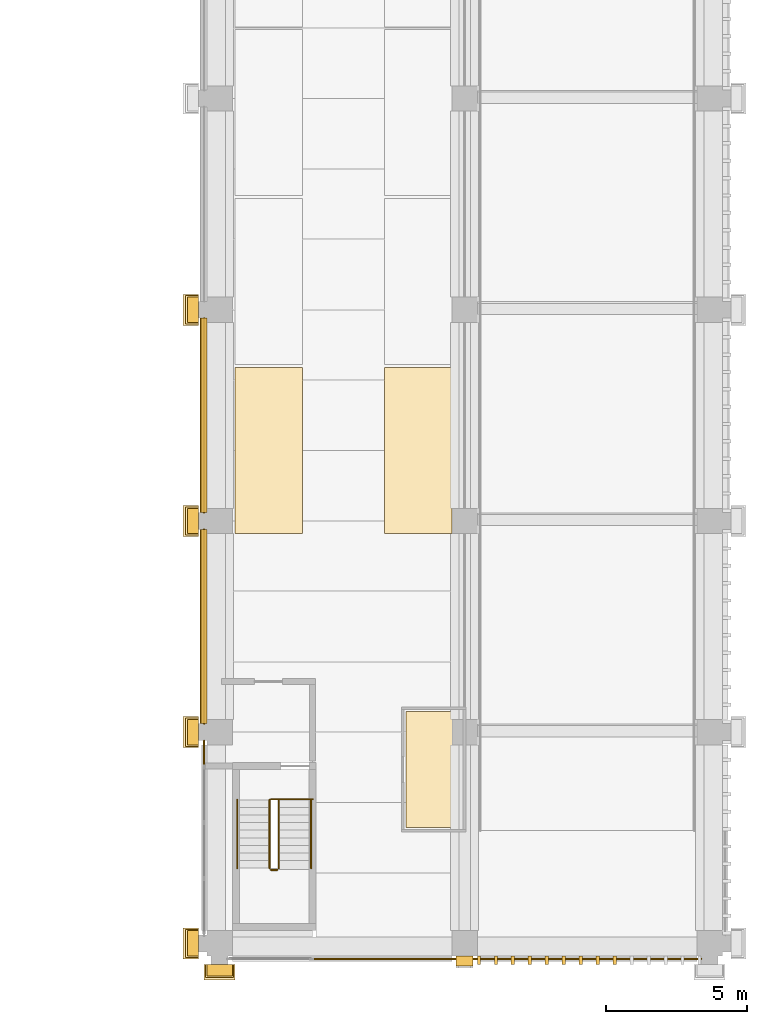
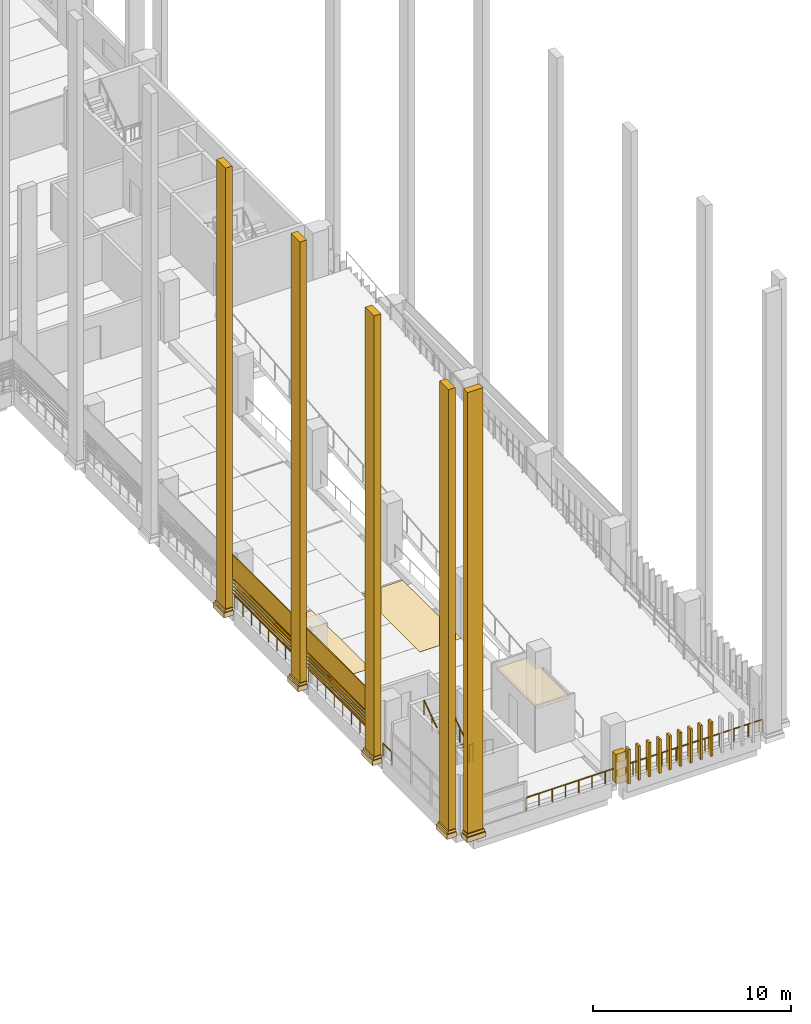
# One storey, part 56 of 67: 30 coverings, 11 railings, 10 shading devices.
"""IFC4 building model written with IfcOpenShell, lengths in metres."""

from ifc_helpers import new_model, si_unit, direction, frame, origin, origin_2d, place, context, subcontext, project, spatial, polyline, circle, outline, extrude, material, layer, layer_set, type_object, element, save


model = new_model("IFC4")

# Units and contexts
model_context = context("Model", 3, precision=1e-05, world=origin(), true_north=direction((0.0, 1.0)))
body_context = subcontext(model_context, "Body", "Model", "MODEL_VIEW")
ifc_project = project(units=[si_unit("LENGTHUNIT", "METRE"), si_unit("AREAUNIT", "SQUARE_METRE"), si_unit("VOLUMEUNIT", "CUBIC_METRE"), si_unit("PLANEANGLEUNIT", "RADIAN"), si_unit("MASSUNIT", "GRAM", prefix="KILO")], contexts=[model_context])

# Site, building, storey
site_placement = place(None, origin())
site = spatial("IfcSite", under=ifc_project, at=site_placement, CompositionType="ELEMENT")
building_placement = place(site_placement, origin())
building = spatial("IfcBuilding", under=site, at=building_placement, Name="Cour d'Honneur Mobility Palace", CompositionType="ELEMENT")
storey_placement = place(building_placement, frame((0.0, 0.0, 4.5)))
storey = spatial("IfcBuildingStorey", under=building, at=storey_placement, Name="L01", CompositionType="ELEMENT", Elevation=4.5)

# Railings
ifc_material_1 = material(Name="Painted steel", Category="steel")
railing_type_1 = type_object("IfcRailingType", Name="Balustrade", PredefinedType="BALUSTRADE", material=ifc_material_1)
for number, where, name in (
    (1, (144.35009765625, 22.199951171875, 0.300048828125), "Balustrade BAL-26"),
    (2, (144.35009765625, 14.699951171875, 0.300048828125), "Balustrade BAL-27"),
):
    element("IfcRailing", number, at=place(storey_placement, frame(where)), inside=storey, type_object=railing_type_1, Name=name, PredefinedType="BALUSTRADE", context=body_context, shape_type="SweptSolid", body=[
        extrude(circle(Radius=0.02392578125, at=origin_2d()), frame((0.0, 0.0, 0.77587890625), z_axis=(0.0, -1.0, 0.0), x_axis=(1.0, 0.0, 0.0)), (0.0, 0.0, 1.0), 6.89990234375),
        extrude(circle(Radius=0.02099609375, at=origin_2d()), origin(), (0.0, 0.0, 1.0), 0.751953125),
        extrude(circle(Radius=0.02099609375, at=origin_2d()), frame((0.0, -0.862548828125, 0.0)), (0.0, 0.0, 1.0), 0.751953125),
        extrude(circle(Radius=0.02099609375, at=origin_2d()), frame((0.0, -1.72509765625, 0.0)), (0.0, 0.0, 1.0), 0.751953125),
        extrude(circle(Radius=0.02099609375, at=origin_2d()), frame((0.0, -2.58740234375, 0.0)), (0.0, 0.0, 1.0), 0.751953125),
        extrude(circle(Radius=0.02099609375, at=origin_2d()), frame((0.0, -3.449951171875, 0.0)), (0.0, 0.0, 1.0), 0.751953125),
        extrude(circle(Radius=0.02099609375, at=origin_2d()), frame((0.0, -4.3125, 0.0)), (0.0, 0.0, 1.0), 0.751953125),
        extrude(circle(Radius=0.02099609375, at=origin_2d()), frame((0.0, -5.1748046875, 0.0)), (0.0, 0.0, 1.0), 0.751953125),
        extrude(circle(Radius=0.02099609375, at=origin_2d()), frame((0.0, -6.037353515625, 0.0)), (0.0, 0.0, 1.0), 0.751953125),
        extrude(circle(Radius=0.02099609375, at=origin_2d()), frame((0.0, -6.89990234375, 0.0)), (0.0, 0.0, 1.0), 0.751953125),
    ])
railing_1_placement = place(storey_placement, frame((144.35009765625, 7.199951171875, 0.300048828125)))
element("IfcRailing", 3, at=railing_1_placement, inside=storey, type_object=railing_type_1, Name="Balustrade BAL-28", PredefinedType="BALUSTRADE", context=body_context, shape_type="SweptSolid", body=[
    extrude(circle(Radius=0.02392578125, at=origin_2d()), frame((0.0, 0.0, 0.77587890625), z_axis=(0.0, -1.0, 0.0), x_axis=(1.0, 0.0, 0.0)), (0.0, 0.0, 1.0), 0.89990234375),
    extrude(circle(Radius=0.02099609375, at=origin_2d()), origin(), (0.0, 0.0, 1.0), 0.751953125),
    extrude(circle(Radius=0.02099609375, at=origin_2d()), frame((0.0, -0.89990234375, 0.0)), (0.0, 0.0, 1.0), 0.751953125),
])
railing_2_placement = place(storey_placement, frame((148.199951171875, -0.550048828125, 0.300048828125)))
element("IfcRailing", 4, at=railing_2_placement, inside=storey, type_object=railing_type_1, Name="Balustrade BAL-29", PredefinedType="BALUSTRADE", context=body_context, shape_type="SweptSolid", body=[
    extrude(circle(Radius=0.02392578125, at=origin_2d()), frame((0.0, 0.0, 0.77587890625), z_axis=(1.0, 0.0, 0.0), x_axis=(0.0, 1.0, 0.0)), (0.0, 0.0, 1.0), 5.400146484375),
    extrude(circle(Radius=0.02099609375, at=origin_2d()), origin(), (0.0, 0.0, 1.0), 0.751953125),
    extrude(circle(Radius=0.02099609375, at=origin_2d()), frame((0.771484375, 0.0, 0.0)), (0.0, 0.0, 1.0), 0.751953125),
    extrude(circle(Radius=0.02099609375, at=origin_2d()), frame((1.54296875, 0.0, 0.0)), (0.0, 0.0, 1.0), 0.751953125),
    extrude(circle(Radius=0.02099609375, at=origin_2d()), frame((2.314453125, 0.0, 0.0)), (0.0, 0.0, 1.0), 0.751953125),
    extrude(circle(Radius=0.02099609375, at=origin_2d()), frame((3.085693359375, 0.0, 0.0)), (0.0, 0.0, 1.0), 0.751953125),
    extrude(circle(Radius=0.02099609375, at=origin_2d()), frame((3.857177734375, 0.0, 0.0)), (0.0, 0.0, 1.0), 0.751953125),
    extrude(circle(Radius=0.02099609375, at=origin_2d()), frame((4.628662109375, 0.0, 0.0)), (0.0, 0.0, 1.0), 0.751953125),
    extrude(circle(Radius=0.02099609375, at=origin_2d()), frame((5.400146484375, 0.0, 0.0)), (0.0, 0.0, 1.0), 0.751953125),
])
railing_3_placement = place(storey_placement, frame((153.60009765625, -0.550048828125, 0.300048828125)))
element("IfcRailing", 5, at=railing_3_placement, inside=storey, type_object=railing_type_1, Name="Balustrade BAL-30", PredefinedType="BALUSTRADE", context=body_context, shape_type="SweptSolid", body=[
    extrude(circle(Radius=0.02392578125, at=origin_2d()), frame((0.0, 0.0, 0.77587890625), z_axis=(1.0, 0.0, 0.0), x_axis=(0.0, 1.0, 0.0)), (0.0, 0.0, 1.0), 8.39990234375),
    extrude(circle(Radius=0.02099609375, at=origin_2d()), origin(), (0.0, 0.0, 1.0), 0.751953125),
    extrude(circle(Radius=0.02099609375, at=origin_2d()), frame((0.840087890625, 0.0, 0.0)), (0.0, 0.0, 1.0), 0.751953125),
    extrude(circle(Radius=0.02099609375, at=origin_2d()), frame((1.679931640625, 0.0, 0.0)), (0.0, 0.0, 1.0), 0.751953125),
    extrude(circle(Radius=0.02099609375, at=origin_2d()), frame((2.52001953125, 0.0, 0.0)), (0.0, 0.0, 1.0), 0.751953125),
    extrude(circle(Radius=0.02099609375, at=origin_2d()), frame((3.35986328125, 0.0, 0.0)), (0.0, 0.0, 1.0), 0.751953125),
    extrude(circle(Radius=0.02099609375, at=origin_2d()), frame((4.199951171875, 0.0, 0.0)), (0.0, 0.0, 1.0), 0.751953125),
    extrude(circle(Radius=0.02099609375, at=origin_2d()), frame((5.0400390625, 0.0, 0.0)), (0.0, 0.0, 1.0), 0.751953125),
    extrude(circle(Radius=0.02099609375, at=origin_2d()), frame((5.8798828125, 0.0, 0.0)), (0.0, 0.0, 1.0), 0.751953125),
    extrude(circle(Radius=0.02099609375, at=origin_2d()), frame((6.719970703125, 0.0, 0.0)), (0.0, 0.0, 1.0), 0.751953125),
    extrude(circle(Radius=0.02099609375, at=origin_2d()), frame((7.559814453125, 0.0, 0.0)), (0.0, 0.0, 1.0), 0.751953125),
    extrude(circle(Radius=0.02099609375, at=origin_2d()), frame((8.39990234375, 0.0, 0.0)), (0.0, 0.0, 1.0), 0.751953125),
])
ifc_material_2 = material(Name="Painted steel", Category="steel")
railing_type_2 = type_object("IfcRailingType", Name="Guardrail 1100", PredefinedType="GUARDRAIL", material=ifc_material_2)
railing_4_placement = place(storey_placement, frame((146.72509765625, 5.1201171875, 0.0)))
element("IfcRailing", 6, at=railing_4_placement, inside=storey, type_object=railing_type_2, Name="Guard ST-RE1", PredefinedType="GUARDRAIL", context=body_context, shape_type="SweptSolid", body=[
    extrude(circle(Radius=0.02490234375, at=origin_2d()), frame((0.0, 0.0, 1.0751953125), z_axis=(1.0, 0.0, 0.0), x_axis=(0.0, 1.0, 0.0)), (0.0, 0.0, 1.0), 1.474853515625),
    extrude(circle(Radius=0.02099609375, at=origin_2d()), origin(), (0.0, 0.0, 1.0), 1.050048828125),
    extrude(circle(Radius=0.02099609375, at=origin_2d()), frame((0.7373046875, 0.0, 0.0)), (0.0, 0.0, 1.0), 1.050048828125),
    extrude(circle(Radius=0.02099609375, at=origin_2d()), frame((1.474853515625, 0.0, 0.0)), (0.0, 0.0, 1.0), 1.050048828125),
])
railing_5_placement = place(storey_placement, frame((146.72509765625, 2.610107421875, 1.85009765625)))
element("IfcRailing", 7, at=railing_5_placement, inside=storey, type_object=railing_type_2, Name="Landing guard ST-RE1", PredefinedType="GUARDRAIL", context=body_context, shape_type="SweptSolid", body=[
    extrude(circle(Radius=0.02490234375, at=origin_2d()), frame((0.0, 0.0, 1.0751953125), z_axis=(1.0, 0.0, 0.0), x_axis=(0.0, 1.0, 0.0)), (0.0, 0.0, 1.0), 0.224853515625),
    extrude(circle(Radius=0.02099609375, at=origin_2d()), origin(), (0.0, 0.0, 1.0), 1.050048828125),
    extrude(circle(Radius=0.02099609375, at=origin_2d()), frame((0.224853515625, 0.0, 0.0)), (0.0, 0.0, 1.0), 1.050048828125),
])
ifc_material_3 = material(Name="Stainless steel", Category="steel")
railing_type_3 = type_object("IfcRailingType", Name="Handrail round 50", PredefinedType="HANDRAIL", material=ifc_material_3)
for number, where, name in (
    (8, (148.14990234375, 5.10009765625, 0.18505859375), "Handrail ST-RE1"),
    (9, (147.0, 5.10009765625, 0.18505859375), "Handrail ST-RE1"),
):
    element("IfcRailing", number, at=place(storey_placement, frame(where)), inside=storey, type_object=railing_type_3, Name=name, PredefinedType="HANDRAIL", context=body_context, shape_type="SweptSolid", body=[
        extrude(circle(Radius=0.02490234375, at=origin_2d()), frame((0.0, 0.0, 0.89501953125), z_axis=(0.0, -0.824945253146, 0.565212640793), x_axis=(1.0, 0.0, 0.0)), (0.0, 0.0, 1.0), 2.94580078125),
        extrude(circle(Radius=0.02099609375, at=origin_2d()), origin(), (0.0, 0.0, 1.0), 0.869873046875),
        extrude(circle(Radius=0.02099609375, at=origin_2d()), frame((0.0, -0.81005859375, 0.554931640625)), (0.0, 0.0, 1.0), 0.869873046875),
        extrude(circle(Radius=0.02099609375, at=origin_2d()), frame((0.0, -1.6201171875, 1.110107421875)), (0.0, 0.0, 1.0), 0.869873046875),
        extrude(circle(Radius=0.02099609375, at=origin_2d()), frame((0.0, -2.43017578125, 1.6650390625)), (0.0, 0.0, 1.0), 0.869873046875),
    ])
for number, where, name in (
    (10, (146.675048828125, 2.669921875, 2.034912109375), "Handrail ST-RE1"),
    (11, (145.52490234375, 2.669921875, 2.034912109375), "Handrail ST-RE1"),
):
    element("IfcRailing", number, at=place(storey_placement, frame(where)), inside=storey, type_object=railing_type_3, Name=name, PredefinedType="HANDRAIL", context=body_context, shape_type="SweptSolid", body=[
        extrude(circle(Radius=0.02490234375, at=origin_2d()), frame((0.0, 0.0, 0.89501953125), z_axis=(0.0, 0.824945253146, 0.565212640793), x_axis=(-1.0, 0.0, 0.0)), (0.0, 0.0, 1.0), 2.94580078125),
        extrude(circle(Radius=0.02099609375, at=origin_2d()), origin(), (0.0, 0.0, 1.0), 0.869873046875),
        extrude(circle(Radius=0.02099609375, at=origin_2d()), frame((0.0, 0.81005859375, 0.554931640625)), (0.0, 0.0, 1.0), 0.869873046875),
        extrude(circle(Radius=0.02099609375, at=origin_2d()), frame((0.0, 1.6201171875, 1.110107421875)), (0.0, 0.0, 1.0), 0.869873046875),
        extrude(circle(Radius=0.02099609375, at=origin_2d()), frame((0.0, 2.43017578125, 1.6650390625)), (0.0, 0.0, 1.0), 0.869873046875),
    ])

# Coverings
ifc_material_4 = material(Name="Parking marking paint")
ifc_layer_1 = layer(ifc_material_4, 0.0048828125)
ifc_layer_set_1 = layer_set([ifc_layer_1], Name="Parking marking paint")
covering_type_1 = type_object("IfcCoveringType", Name="Parking bay marking", PredefinedType="FLOORING", material=ifc_layer_set_1)
covering_1_placement = place(storey_placement, origin())
element("IfcCovering", 12, at=covering_1_placement, inside=storey, type_object=covering_type_1, Name="Parking bay marking L01 75", PredefinedType="FLOORING", context=body_context, shape_type="SweptSolid", body=[
    extrude(outline(polyline([(153.14990234375, 14.550048828125), (150.75, 14.550048828125), (150.75, 20.449951171875), (153.14990234375, 20.449951171875), (153.14990234375, 14.550048828125)])), origin(), (0.0, 0.0, 1.0), 0.0048828125),
])
covering_2_placement = place(storey_placement, origin())
element("IfcCovering", 13, at=covering_2_placement, inside=storey, type_object=covering_type_1, Name="Parking bay marking L01 79", PredefinedType="FLOORING", context=body_context, shape_type="SweptSolid", body=[
    extrude(outline(polyline([(147.85009765625, 14.550048828125), (145.449951171875, 14.550048828125), (145.449951171875, 20.449951171875), (147.85009765625, 20.449951171875), (147.85009765625, 14.550048828125)])), origin(), (0.0, 0.0, 1.0), 0.0048828125),
])
ifc_material_5 = material(Name="Cast limestone", Category="masonry")
ifc_layer_2 = layer(ifc_material_5, 0.35009765625)
ifc_layer_set_2 = layer_set([ifc_layer_2], Name="Cast limestone")
covering_type_2 = type_object("IfcCoveringType", Name="Pier pilaster", PredefinedType="CLADDING", material=ifc_layer_set_2)
covering_3_placement = place(storey_placement, frame((0.0, 0.0, 0.300048828125)))
element("IfcCovering", 14, at=covering_3_placement, inside=storey, type_object=covering_type_2, Name="Pier pilaster PN-2", PredefinedType="CLADDING", context=body_context, shape_type="SweptSolid", body=[
    extrude(outline(polyline([(153.300048828125, -0.449951171875), (153.89990234375, -0.449951171875), (153.89990234375, -0.800048828125), (153.300048828125, -0.800048828125), (153.300048828125, -0.449951171875)])), origin(), (0.0, 0.0, 1.0), 1.800048828125),
])
ifc_material_6 = material(Name="Cast limestone", Category="masonry")
ifc_layer_3 = layer(ifc_material_6, 0.14990234375)
ifc_layer_set_3 = layer_set([ifc_layer_3], Name="Cast limestone")
covering_type_3 = type_object("IfcCoveringType", Name="Pilaster base", PredefinedType="CLADDING", material=ifc_layer_set_3)
covering_4_placement = place(storey_placement, frame((0.0, 0.0, 0.10009765625)))
element("IfcCovering", 15, at=covering_4_placement, inside=storey, type_object=covering_type_3, Name="Pilaster base PB-61", PredefinedType="CLADDING", context=body_context, shape_type="SweptSolid", body=[
    extrude(outline(polyline([(144.14990234375, 23.050048828125), (144.14990234375, 21.949951171875), (143.60009765625, 21.949951171875), (143.60009765625, 23.050048828125), (144.14990234375, 23.050048828125)])), origin(), (0.0, 0.0, 1.0), 0.2998046875),
])
covering_5_placement = place(storey_placement, frame((0.0, 0.0, 0.39990234375)))
element("IfcCovering", 16, at=covering_5_placement, inside=storey, type_object=covering_type_3, Name="Pilaster base PB-62", PredefinedType="CLADDING", context=body_context, shape_type="SweptSolid", body=[
    extrude(outline(polyline([(144.14990234375, 23.0), (144.14990234375, 22.0), (143.679931640625, 22.0), (143.679931640625, 23.0), (144.14990234375, 23.0)])), origin(), (0.0, 0.0, 1.0), 0.150146484375),
])
covering_6_placement = place(storey_placement, frame((0.0, 0.0, 0.10009765625)))
element("IfcCovering", 17, at=covering_6_placement, inside=storey, type_object=covering_type_3, Name="Pilaster base PB-63", PredefinedType="CLADDING", context=body_context, shape_type="SweptSolid", body=[
    extrude(outline(polyline([(144.14990234375, 15.550048828125), (144.14990234375, 14.449951171875), (143.60009765625, 14.449951171875), (143.60009765625, 15.550048828125), (144.14990234375, 15.550048828125)])), origin(), (0.0, 0.0, 1.0), 0.2998046875),
])
covering_7_placement = place(storey_placement, frame((0.0, 0.0, 0.39990234375)))
element("IfcCovering", 18, at=covering_7_placement, inside=storey, type_object=covering_type_3, Name="Pilaster base PB-64", PredefinedType="CLADDING", context=body_context, shape_type="SweptSolid", body=[
    extrude(outline(polyline([(144.14990234375, 15.5), (144.14990234375, 14.5), (143.679931640625, 14.5), (143.679931640625, 15.5), (144.14990234375, 15.5)])), origin(), (0.0, 0.0, 1.0), 0.150146484375),
])
covering_8_placement = place(storey_placement, frame((0.0, 0.0, 0.10009765625)))
element("IfcCovering", 19, at=covering_8_placement, inside=storey, type_object=covering_type_3, Name="Pilaster base PB-65", PredefinedType="CLADDING", context=body_context, shape_type="SweptSolid", body=[
    extrude(outline(polyline([(144.14990234375, 8.050048828125), (144.14990234375, 6.949951171875), (143.60009765625, 6.949951171875), (143.60009765625, 8.050048828125), (144.14990234375, 8.050048828125)])), origin(), (0.0, 0.0, 1.0), 0.2998046875),
])
covering_9_placement = place(storey_placement, frame((0.0, 0.0, 0.39990234375)))
element("IfcCovering", 20, at=covering_9_placement, inside=storey, type_object=covering_type_3, Name="Pilaster base PB-66", PredefinedType="CLADDING", context=body_context, shape_type="SweptSolid", body=[
    extrude(outline(polyline([(144.14990234375, 8.0), (144.14990234375, 7.0), (143.679931640625, 7.0), (143.679931640625, 8.0), (144.14990234375, 8.0)])), origin(), (0.0, 0.0, 1.0), 0.150146484375),
])
covering_10_placement = place(storey_placement, frame((0.0, 0.0, 0.10009765625)))
element("IfcCovering", 21, at=covering_10_placement, inside=storey, type_object=covering_type_3, Name="Pilaster base PB-67", PredefinedType="CLADDING", context=body_context, shape_type="SweptSolid", body=[
    extrude(outline(polyline([(144.14990234375, 0.550048828125), (144.14990234375, -0.550048828125), (143.60009765625, -0.550048828125), (143.60009765625, 0.550048828125), (144.14990234375, 0.550048828125)])), origin(), (0.0, 0.0, 1.0), 0.2998046875),
])
covering_11_placement = place(storey_placement, frame((0.0, 0.0, 0.39990234375)))
element("IfcCovering", 22, at=covering_11_placement, inside=storey, type_object=covering_type_3, Name="Pilaster base PB-68", PredefinedType="CLADDING", context=body_context, shape_type="SweptSolid", body=[
    extrude(outline(polyline([(144.14990234375, 0.5), (144.14990234375, -0.5), (143.679931640625, -0.5), (143.679931640625, 0.5), (144.14990234375, 0.5)])), origin(), (0.0, 0.0, 1.0), 0.150146484375),
])
covering_12_placement = place(storey_placement, frame((0.0, 0.0, 0.10009765625)))
element("IfcCovering", 23, at=covering_12_placement, inside=storey, type_object=covering_type_3, Name="Pilaster base PB-69", PredefinedType="CLADDING", context=body_context, shape_type="SweptSolid", body=[
    extrude(outline(polyline([(144.35009765625, -0.75), (145.449951171875, -0.75), (145.449951171875, -1.300048828125), (144.35009765625, -1.300048828125), (144.35009765625, -0.75)])), origin(), (0.0, 0.0, 1.0), 0.2998046875),
])
covering_13_placement = place(storey_placement, frame((0.0, 0.0, 0.39990234375)))
element("IfcCovering", 24, at=covering_13_placement, inside=storey, type_object=covering_type_3, Name="Pilaster base PB-70", PredefinedType="CLADDING", context=body_context, shape_type="SweptSolid", body=[
    extrude(outline(polyline([(144.39990234375, -0.75), (145.39990234375, -0.75), (145.39990234375, -1.219970703125), (144.39990234375, -1.219970703125), (144.39990234375, -0.75)])), origin(), (0.0, 0.0, 1.0), 0.150146484375),
])
ifc_material_7 = material(Name="Cast limestone", Category="masonry")
ifc_layer_4 = layer(ifc_material_7, 0.39990234375)
ifc_layer_set_4 = layer_set([ifc_layer_4], Name="Cast limestone")
covering_type_4 = type_object("IfcCoveringType", Name="Pilaster shaft", PredefinedType="CLADDING", material=ifc_layer_set_4)
covering_14_placement = place(storey_placement, frame((0.0, 0.0, 0.550048828125)))
element("IfcCovering", 25, at=covering_14_placement, inside=storey, type_object=covering_type_4, Name="Pilaster shaft PS-31", PredefinedType="CLADDING", context=body_context, shape_type="SweptSolid", body=[
    extrude(outline(polyline([(144.14990234375, 22.949951171875), (144.14990234375, 22.050048828125), (143.75, 22.050048828125), (143.75, 22.949951171875), (144.14990234375, 22.949951171875)])), origin(), (0.0, 0.0, 1.0), 27.14990234375),
])
covering_15_placement = place(storey_placement, frame((0.0, 0.0, 0.550048828125)))
element("IfcCovering", 26, at=covering_15_placement, inside=storey, type_object=covering_type_4, Name="Pilaster shaft PS-32", PredefinedType="CLADDING", context=body_context, shape_type="SweptSolid", body=[
    extrude(outline(polyline([(144.14990234375, 15.449951171875), (144.14990234375, 14.550048828125), (143.75, 14.550048828125), (143.75, 15.449951171875), (144.14990234375, 15.449951171875)])), origin(), (0.0, 0.0, 1.0), 27.14990234375),
])
covering_16_placement = place(storey_placement, frame((0.0, 0.0, 0.550048828125)))
element("IfcCovering", 27, at=covering_16_placement, inside=storey, type_object=covering_type_4, Name="Pilaster shaft PS-33", PredefinedType="CLADDING", context=body_context, shape_type="SweptSolid", body=[
    extrude(outline(polyline([(144.14990234375, 7.949951171875), (144.14990234375, 7.050048828125), (143.75, 7.050048828125), (143.75, 7.949951171875), (144.14990234375, 7.949951171875)])), origin(), (0.0, 0.0, 1.0), 27.14990234375),
])
covering_17_placement = place(storey_placement, frame((0.0, 0.0, 0.550048828125)))
element("IfcCovering", 28, at=covering_17_placement, inside=storey, type_object=covering_type_4, Name="Pilaster shaft PS-34", PredefinedType="CLADDING", context=body_context, shape_type="SweptSolid", body=[
    extrude(outline(polyline([(144.14990234375, 0.449951171875), (144.14990234375, -0.449951171875), (143.75, -0.449951171875), (143.75, 0.449951171875), (144.14990234375, 0.449951171875)])), origin(), (0.0, 0.0, 1.0), 27.14990234375),
])
covering_18_placement = place(storey_placement, frame((0.0, 0.0, 0.550048828125)))
element("IfcCovering", 29, at=covering_18_placement, inside=storey, type_object=covering_type_4, Name="Pilaster shaft PS-35", PredefinedType="CLADDING", context=body_context, shape_type="SweptSolid", body=[
    extrude(outline(polyline([(144.449951171875, -0.75), (145.35009765625, -0.75), (145.35009765625, -1.14990234375), (144.449951171875, -1.14990234375), (144.449951171875, -0.75)])), origin(), (0.0, 0.0, 1.0), 27.14990234375),
])
ifc_material_8 = material(Name="Cast limestone", Category="masonry")
ifc_layer_5 = layer(ifc_material_8, 0.1201171875)
ifc_layer_set_5 = layer_set([ifc_layer_5], Name="Cast limestone")
covering_type_5 = type_object("IfcCoveringType", Name="Ramp screen fin", PredefinedType="CLADDING", material=ifc_layer_set_5)
covering_19_placement = place(storey_placement, origin())
element("IfcCovering", 30, at=covering_19_placement, inside=storey, type_object=covering_type_5, Name="Ramp screen fin S4.1 L01 1", PredefinedType="CLADDING", context=body_context, shape_type="SweptSolid", body=[
    extrude(outline(polyline([(154.050048828125, -0.449951171875), (154.169921875, -0.449951171875), (154.169921875, -0.75), (154.050048828125, -0.75), (154.050048828125, -0.449951171875)])), origin(), (0.0, 0.0, 1.0), 2.10009765625),
])
covering_20_placement = place(storey_placement, origin())
element("IfcCovering", 31, at=covering_20_placement, inside=storey, type_object=covering_type_5, Name="Ramp screen fin S4.1 L01 2", PredefinedType="CLADDING", context=body_context, shape_type="SweptSolid", body=[
    extrude(outline(polyline([(154.65234375, -0.449951171875), (154.772216796875, -0.449951171875), (154.772216796875, -0.75), (154.65234375, -0.75), (154.65234375, -0.449951171875)])), origin(), (0.0, 0.0, 1.0), 2.10009765625),
])
covering_21_placement = place(storey_placement, origin())
element("IfcCovering", 32, at=covering_21_placement, inside=storey, type_object=covering_type_5, Name="Ramp screen fin S4.1 L01 3", PredefinedType="CLADDING", context=body_context, shape_type="SweptSolid", body=[
    extrude(outline(polyline([(155.254638671875, -0.449951171875), (155.37451171875, -0.449951171875), (155.37451171875, -0.75), (155.254638671875, -0.75), (155.254638671875, -0.449951171875)])), origin(), (0.0, 0.0, 1.0), 2.10009765625),
])
covering_22_placement = place(storey_placement, origin())
element("IfcCovering", 33, at=covering_22_placement, inside=storey, type_object=covering_type_5, Name="Ramp screen fin S4.1 L01 4", PredefinedType="CLADDING", context=body_context, shape_type="SweptSolid", body=[
    extrude(outline(polyline([(155.85693359375, -0.449951171875), (155.976806640625, -0.449951171875), (155.976806640625, -0.75), (155.85693359375, -0.75), (155.85693359375, -0.449951171875)])), origin(), (0.0, 0.0, 1.0), 2.10009765625),
])
covering_23_placement = place(storey_placement, origin())
element("IfcCovering", 34, at=covering_23_placement, inside=storey, type_object=covering_type_5, Name="Ramp screen fin S4.1 L01 5", PredefinedType="CLADDING", context=body_context, shape_type="SweptSolid", body=[
    extrude(outline(polyline([(156.459228515625, -0.449951171875), (156.579345703125, -0.449951171875), (156.579345703125, -0.75), (156.459228515625, -0.75), (156.459228515625, -0.449951171875)])), origin(), (0.0, 0.0, 1.0), 2.10009765625),
])
covering_24_placement = place(storey_placement, origin())
element("IfcCovering", 35, at=covering_24_placement, inside=storey, type_object=covering_type_5, Name="Ramp screen fin S4.1 L01 6", PredefinedType="CLADDING", context=body_context, shape_type="SweptSolid", body=[
    extrude(outline(polyline([(157.0615234375, -0.449951171875), (157.181640625, -0.449951171875), (157.181640625, -0.75), (157.0615234375, -0.75), (157.0615234375, -0.449951171875)])), origin(), (0.0, 0.0, 1.0), 2.10009765625),
])
covering_25_placement = place(storey_placement, origin())
element("IfcCovering", 36, at=covering_25_placement, inside=storey, type_object=covering_type_5, Name="Ramp screen fin S4.1 L01 7", PredefinedType="CLADDING", context=body_context, shape_type="SweptSolid", body=[
    extrude(outline(polyline([(157.663818359375, -0.449951171875), (157.783935546875, -0.449951171875), (157.783935546875, -0.75), (157.663818359375, -0.75), (157.663818359375, -0.449951171875)])), origin(), (0.0, 0.0, 1.0), 2.10009765625),
])
covering_26_placement = place(storey_placement, origin())
element("IfcCovering", 37, at=covering_26_placement, inside=storey, type_object=covering_type_5, Name="Ramp screen fin S4.1 L01 8", PredefinedType="CLADDING", context=body_context, shape_type="SweptSolid", body=[
    extrude(outline(polyline([(158.26611328125, -0.449951171875), (158.38623046875, -0.449951171875), (158.38623046875, -0.75), (158.26611328125, -0.75), (158.26611328125, -0.449951171875)])), origin(), (0.0, 0.0, 1.0), 2.10009765625),
])
covering_27_placement = place(storey_placement, origin())
element("IfcCovering", 38, at=covering_27_placement, inside=storey, type_object=covering_type_5, Name="Ramp screen fin S4.1 L01 9", PredefinedType="CLADDING", context=body_context, shape_type="SweptSolid", body=[
    extrude(outline(polyline([(158.868408203125, -0.449951171875), (158.988525390625, -0.449951171875), (158.988525390625, -0.75), (158.868408203125, -0.75), (158.868408203125, -0.449951171875)])), origin(), (0.0, 0.0, 1.0), 2.10009765625),
])
ifc_material_9 = material(Name="Cast limestone", Category="masonry")
ifc_layer_6 = layer(ifc_material_9, 0.25)
ifc_layer_set_6 = layer_set([ifc_layer_6], Name="Cast limestone")
covering_type_6 = type_object("IfcCoveringType", Name="Spandrel cladding", PredefinedType="CLADDING", material=ifc_layer_set_6)
for number, where, z_axis, x_axis, name in (
    (39, (144.449951171875, 22.199951171875, 2.300048828125), (0.0, 1.0, 0.0), (-1.0, 0.0, 0.0), "Spandrel cladding SK-90"),
    (40, (144.449951171875, 14.699951171875, 2.300048828125), (0.0, 1.0, 0.0), (-1.0, 0.0, 0.0), "Spandrel cladding SK-91"),
):
    element("IfcCovering", number, at=place(storey_placement, frame(where, z_axis=z_axis, x_axis=x_axis)), inside=storey, type_object=covering_type_6, Name=name, PredefinedType="CLADDING", context=body_context, shape_type="SweptSolid", body=[
        extrude(outline(polyline([(0.0, 0.0), (0.25, 0.0), (0.25, 1.39990234375), (0.199951171875, 1.39990234375), (0.199951171875, 0.800048828125), (0.0, 0.800048828125), (0.0, 0.0)])), origin(), (0.0, 0.0, -1.0), 6.89990234375),
    ])
ifc_material_10 = material(Name="Suspended ceiling")
ifc_layer_7 = layer(ifc_material_10, 0.030029296875)
ifc_layer_set_7 = layer_set([ifc_layer_7], Name="Suspended ceiling")
covering_type_7 = type_object("IfcCoveringType", Name="Suspended ceiling", PredefinedType="CEILING", material=ifc_layer_set_7)
covering_28_placement = place(storey_placement, frame((0.0, 0.0, 2.550048828125)))
element("IfcCovering", 41, at=covering_28_placement, inside=storey, type_object=covering_type_7, Name="Ceiling Attendant Room East", PredefinedType="CEILING", context=body_context, shape_type="SweptSolid", body=[
    extrude(outline(polyline([(153.47998046875, 4.1201171875), (151.52001953125, 4.1201171875), (151.52001953125, 8.22998046875), (153.47998046875, 8.22998046875), (153.47998046875, 4.1201171875)])), origin(), (0.0, 0.0, 1.0), 0.030029296875),
])

# Shading devices
ifc_material_11 = material(Name="Terracotta", Category="masonry")
ifc_layer_8 = layer(ifc_material_11, 0.02490234375)
ifc_layer_set_8 = layer_set([ifc_layer_8], Name="Terracotta")
shading_device_type = type_object("IfcShadingDeviceType", Name="Terracotta louvre blade", PredefinedType="JALOUSIE", material=ifc_layer_set_8)
shading_device_1_placement = place(storey_placement, frame((144.4560546875, 22.199951171875, 1.10009765625), z_axis=(0.706699578995, 0.0, 0.707513749017), x_axis=(0.0, -1.0, 0.0)))
element("IfcShadingDevice", 42, at=shading_device_1_placement, inside=storey, type_object=shading_device_type, Name="Louvre blade LV-1 W3.3 L01 1", PredefinedType="JALOUSIE", context=body_context, shape_type="SweptSolid", body=[
    extrude(outline(polyline([(0.0, 0.0), (6.89990234375, 0.0), (6.89990234375, -0.29986442442957895), (0.0, -0.29986442442957895), (0.0, 0.0)])), origin(), (0.0, 0.0, -1.0), 0.02490234375),
])
for number, where, z_axis, x_axis, name in (
    (43, (144.4560546875, 22.199951171875, 1.31201171875), (0.707106781187, 0.0, 0.707106781187), (0.0, -1.0, 0.0), "Louvre blade LV-1 W3.3 L01 2"),
    (44, (144.4560546875, 22.199951171875, 1.524169921875), (0.707106781187, 0.0, 0.707106781187), (0.0, -1.0, 0.0), "Louvre blade LV-1 W3.3 L01 3"),
    (45, (144.4560546875, 22.199951171875, 1.736328125), (0.707106781187, 0.0, 0.707106781187), (0.0, -1.0, 0.0), "Louvre blade LV-1 W3.3 L01 4"),
    (46, (144.4560546875, 22.199951171875, 1.948486328125), (0.707106781187, 0.0, 0.707106781187), (0.0, -1.0, 0.0), "Louvre blade LV-1 W3.3 L01 5"),
):
    element("IfcShadingDevice", number, at=place(storey_placement, frame(where, z_axis=z_axis, x_axis=x_axis)), inside=storey, type_object=shading_device_type, Name=name, PredefinedType="JALOUSIE", context=body_context, shape_type="SweptSolid", body=[
        extrude(outline(polyline([(0.0, 0.0), (6.89990234375, 0.0), (6.89990234375, -0.300037008228081), (0.0, -0.300037008228081), (0.0, 0.0)])), origin(), (0.0, 0.0, -1.0), 0.02490234375),
    ])
shading_device_2_placement = place(storey_placement, frame((144.4560546875, 14.699951171875, 1.10009765625), z_axis=(0.706699578995, 0.0, 0.707513749017), x_axis=(0.0, -1.0, 0.0)))
element("IfcShadingDevice", 47, at=shading_device_2_placement, inside=storey, type_object=shading_device_type, Name="Louvre blade LV-1 W3.4 L01 1", PredefinedType="JALOUSIE", context=body_context, shape_type="SweptSolid", body=[
    extrude(outline(polyline([(0.0, 0.0), (6.89990234375, 0.0), (6.89990234375, -0.29986442442957895), (0.0, -0.29986442442957895), (0.0, 0.0)])), origin(), (0.0, 0.0, -1.0), 0.02490234375),
])
for number, where, z_axis, x_axis, name in (
    (48, (144.4560546875, 14.699951171875, 1.31201171875), (0.707106781187, 0.0, 0.707106781187), (0.0, -1.0, 0.0), "Louvre blade LV-1 W3.4 L01 2"),
    (49, (144.4560546875, 14.699951171875, 1.524169921875), (0.707106781187, 0.0, 0.707106781187), (0.0, -1.0, 0.0), "Louvre blade LV-1 W3.4 L01 3"),
    (50, (144.4560546875, 14.699951171875, 1.736328125), (0.707106781187, 0.0, 0.707106781187), (0.0, -1.0, 0.0), "Louvre blade LV-1 W3.4 L01 4"),
    (51, (144.4560546875, 14.699951171875, 1.948486328125), (0.707106781187, 0.0, 0.707106781187), (0.0, -1.0, 0.0), "Louvre blade LV-1 W3.4 L01 5"),
):
    element("IfcShadingDevice", number, at=place(storey_placement, frame(where, z_axis=z_axis, x_axis=x_axis)), inside=storey, type_object=shading_device_type, Name=name, PredefinedType="JALOUSIE", context=body_context, shape_type="SweptSolid", body=[
        extrude(outline(polyline([(0.0, 0.0), (6.89990234375, 0.0), (6.89990234375, -0.300037008228081), (0.0, -0.300037008228081), (0.0, 0.0)])), origin(), (0.0, 0.0, -1.0), 0.02490234375),
    ])

save(model, "model.ifc")
